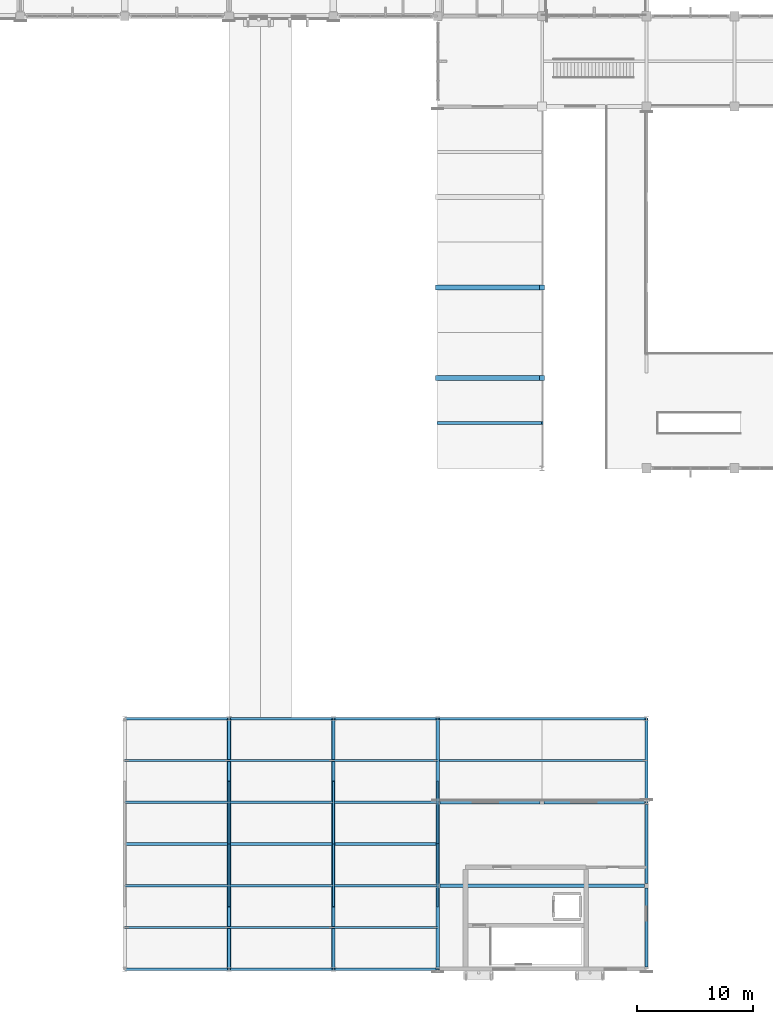
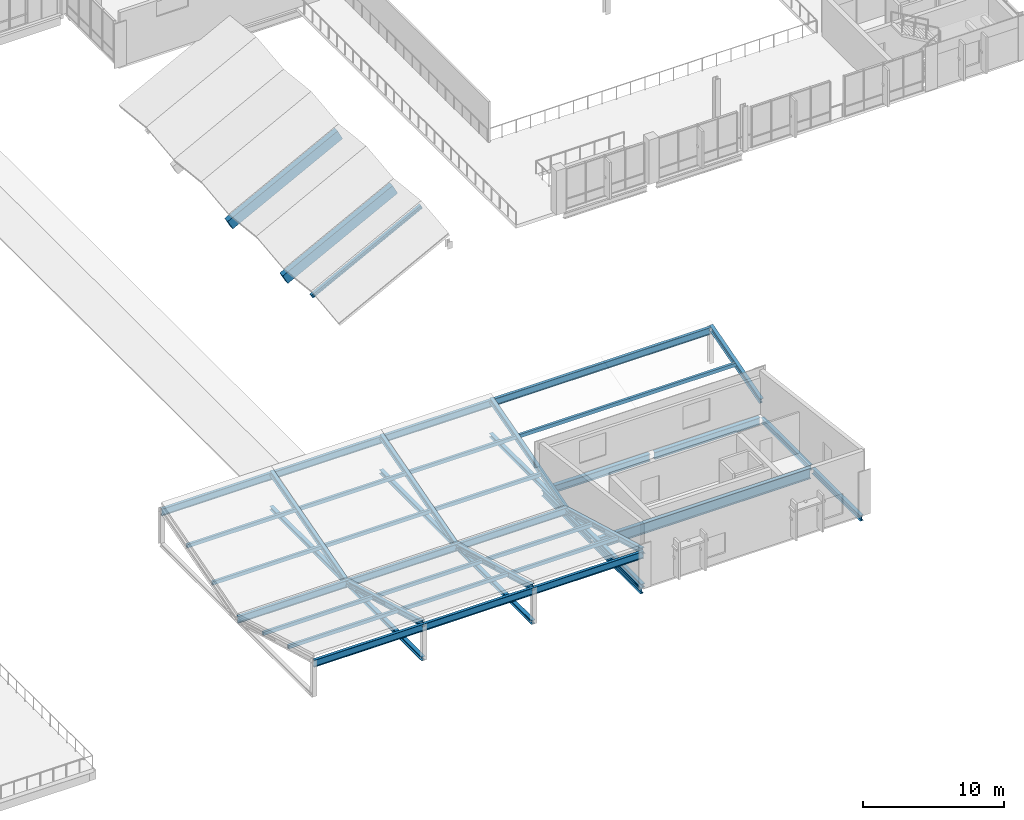
# One storey, part 16 of 64: 30 members, 12 beams.
"""IFC4 building model written with IfcOpenShell, lengths in metres."""

import ifcopenshell
import ifcopenshell.guid

model = None  # the IFC model being written
_history = None  # IfcOwnerHistory: only IFC2X3 demands one
_inside = {}  # id of a spatial element -> (the spatial element, [elements in it])
_under = {}  # id of a project, library or spatial element -> (it, [spatial elements below it])
_declared = {}  # id of a project -> (the project, [libraries it declares])
_typed = {}  # id of a type object -> (the type object, [elements of that type])
_made_of = {}  # id of a material, layer set ... -> (it, [elements and type objects made of it])


def new_model(schema):
    """Start an empty IFC model of exactly this schema.

    Asked for "IFC4X3", IfcOpenShell would pick the latest addendum, in which some entities
    have other attributes; the version numbers below select the first issue.
    IFC2X3 requires an IfcOwnerHistory on every rooted entity: one is made here for all.
    """
    global model, _history
    if schema == "IFC4X3":
        model = ifcopenshell.file(schema_version=(4, 3, 0, 0))
    else:
        model = ifcopenshell.file(schema=schema)
    _inside.clear()
    _under.clear()
    _declared.clear()
    _typed.clear()
    _made_of.clear()
    _history = None
    if model.schema == "IFC2X3":
        org = make("IfcOrganization", Name="unknown")
        user = make(
            "IfcPersonAndOrganization",
            ThePerson=make("IfcPerson", FamilyName="unknown"),
            TheOrganization=org,
        )
        app = make(
            "IfcApplication",
            ApplicationDeveloper=org,
            Version="unknown",
            ApplicationFullName="unknown",
            ApplicationIdentifier="unknown",
        )
        _history = make(
            "IfcOwnerHistory",
            OwningUser=user,
            OwningApplication=app,
            ChangeAction="ADDED",
            CreationDate=0,
        )
    return model


def make(cls, **values):
    """One entity of the class cls with the attributes given. An attribute that is None is left unset."""
    return model.create_entity(
        cls, **{name: value for name, value in values.items() if value is not None}
    )


def rooted(cls, **values):
    """An entity with a GlobalId (a new one), such as an element, a storey or a relation."""
    return make(cls, GlobalId=ifcopenshell.guid.new(), OwnerHistory=_history, **values)


def si_unit(unit_type, name, prefix=None):
    """IfcSIUnit, for example si_unit("LENGTHUNIT", "METRE", prefix="MILLI")."""
    return make("IfcSIUnit", UnitType=unit_type, Prefix=prefix, Name=name)


def assignment(units):
    """IfcUnitAssignment: the units of a project."""
    return None if units is None else make("IfcUnitAssignment", Units=units)


def point(xyz):
    """IfcCartesianPoint."""
    return None if xyz is None else make("IfcCartesianPoint", Coordinates=xyz)


def direction(xyz):
    """IfcDirection."""
    return None if xyz is None else make("IfcDirection", DirectionRatios=xyz)


def frame(location, z_axis=None, x_axis=None):
    """IfcAxis2Placement3D, a coordinate frame: its origin and axes. An axis left out is left unset."""
    return make(
        "IfcAxis2Placement3D",
        Location=point(location),
        Axis=direction(z_axis),
        RefDirection=direction(x_axis),
    )


def frame_2d(location, x_axis=None):
    """IfcAxis2Placement2D, a coordinate frame in the plane: its origin and x axis."""
    return make(
        "IfcAxis2Placement2D", Location=point(location), RefDirection=direction(x_axis)
    )


def origin():
    """The frame at (0, 0, 0) with its axes left unset."""
    return frame((0.0, 0.0, 0.0))


def origin_2d():
    """The frame at (0, 0) in the plane with its x axis left unset."""
    return frame_2d((0.0, 0.0))


def place(relative_to, where):
    """IfcLocalPlacement: puts the frame where relative to a parent placement (None: the world)."""
    return make(
        "IfcLocalPlacement", PlacementRelTo=relative_to, RelativePlacement=where
    )


def context(
    kind, dimensions, precision=None, world=None, true_north=None, identifier=None
):
    """IfcGeometricRepresentationContext, for example the 3D "Model" context."""
    return make(
        "IfcGeometricRepresentationContext",
        ContextIdentifier=identifier,
        ContextType=kind,
        CoordinateSpaceDimension=dimensions,
        Precision=precision,
        WorldCoordinateSystem=world,
        TrueNorth=true_north,
    )


def subcontext(parent, identifier, kind, view, scale=None):
    """IfcGeometricRepresentationSubContext, for example "Body" below "Model"."""
    return make(
        "IfcGeometricRepresentationSubContext",
        ContextIdentifier=identifier,
        ContextType=kind,
        ParentContext=parent,
        TargetScale=scale,
        TargetView=view,
    )


def project(units=None, contexts=None):
    """IfcProject with its units and contexts."""
    return rooted(
        "IfcProject",
        Name="project",
        RepresentationContexts=contexts,
        UnitsInContext=assignment(units),
    )


def spatial(cls, under=None, at=None, **own):
    """A site, building, storey or space (cls), placed at a placement, below another one or the project."""
    s = rooted(cls, ObjectPlacement=at, **own)
    if under is not None:
        _under.setdefault(under.id(), (under, []))[1].append(s)
    return s


def profile(cls, at=None, kind="AREA", **sizes):
    """A parametric profile (cls). Its sizes go by their IFC names, for example OverallWidth=200.0."""
    return make(cls, ProfileType=kind, Position=at, **sizes)


def rectangle(**sizes):
    """IfcRectangleProfileDef."""
    return profile("IfcRectangleProfileDef", **sizes)


def hollow_rectangle(**sizes):
    """IfcRectangleHollowProfileDef."""
    return profile("IfcRectangleHollowProfileDef", **sizes)


def i_section(**sizes):
    """IfcIShapeProfileDef."""
    return profile("IfcIShapeProfileDef", **sizes)


def extrude(swept, where, along, depth):
    """IfcExtrudedAreaSolid: the profile swept, set in the frame where, extruded along a direction by depth."""
    return make(
        "IfcExtrudedAreaSolid",
        SweptArea=swept,
        Position=where,
        ExtrudedDirection=direction(along),
        Depth=depth,
    )


def shape(context_of_items, identifier, shape_type, items):
    """IfcShapeRepresentation: the items that make up one representation, for example the "Body"."""
    return make(
        "IfcShapeRepresentation",
        ContextOfItems=context_of_items,
        RepresentationIdentifier=identifier,
        RepresentationType=shape_type,
        Items=items,
    )


def material(Name=None, Category=None):
    """IfcMaterial."""
    return make("IfcMaterial", Name=Name, Category=Category)


def material_profile(
    of_material, cross_section, Name=None, Category=None, Priority=None
):
    """IfcMaterialProfile: a cross section and its material."""
    return make(
        "IfcMaterialProfile",
        Name=Name,
        Material=of_material,
        Profile=cross_section,
        Priority=Priority,
        Category=Category,
    )


def profile_set(profiles, Name=None, composite=None):
    """IfcMaterialProfileSet."""
    return make(
        "IfcMaterialProfileSet",
        Name=Name,
        MaterialProfiles=profiles,
        CompositeProfile=composite,
    )


def made_of(thing, what):
    """Note that an element or type object is made of a material, layer set ...; save() writes the relation."""
    if what is not None:
        _made_of.setdefault(what.id(), (what, []))[1].append(thing)
    return thing


def type_object(cls, material=None, **own):
    """A type object (cls), such as IfcWallType, which elements share."""
    return made_of(rooted(cls, **own), material)


def element(
    cls,
    number,
    at=None,
    inside=None,
    cuts=None,
    type_object=None,
    material=None,
    context=None,
    identifier="Body",
    shape_type=None,
    held_by="IfcProductDefinitionShape",
    body=None,
    shapes=None,
    **own,
):
    """One element of the class cls, such as IfcWall. Its Tag is "e" and its number.

    at: its placement. inside: the storey or other place that contains it. cuts: it is an
    opening in that element (IfcRelVoidsElement). A single representation is given by context,
    identifier, shape_type and body (its items); several are given by shapes. held_by: the class
    of the entity that holds the representations. save() writes the other relations.
    """
    e = rooted(cls, Tag="e%d" % number, ObjectPlacement=at, **own)
    if body is not None:
        shapes = [shape(context, identifier, shape_type, body)]
    if shapes is not None:
        e.Representation = make(held_by, Representations=shapes)
    if inside is not None:
        _inside.setdefault(inside.id(), (inside, []))[1].append(e)
    if cuts is not None:
        rooted(
            "IfcRelVoidsElement", RelatingBuildingElement=cuts, RelatedOpeningElement=e
        )
    if type_object is not None:
        _typed.setdefault(type_object.id(), (type_object, []))[1].append(e)
    return made_of(e, material)


def aggregate(whole, parts):
    """IfcRelAggregates: a whole, such as a stair, and the parts it consists of."""
    return rooted("IfcRelAggregates", RelatingObject=whole, RelatedObjects=parts)


def save(model, path):
    """Write the relations noted so far, then the file.

    IfcRelAggregates (storeys below a building ...), IfcRelContainedInSpatialStructure (elements
    in a storey), IfcRelDefinesByType, IfcRelAssociatesMaterial and IfcRelDeclares: one each for
    every whole, place, type object, material and project.
    """
    for whole, parts in _under.values():
        aggregate(whole, parts)
    for where, things in _inside.values():
        rooted(
            "IfcRelContainedInSpatialStructure",
            RelatedElements=things,
            RelatingStructure=where,
        )
    for kind, things in _typed.values():
        rooted("IfcRelDefinesByType", RelatedObjects=things, RelatingType=kind)
    for what, things in _made_of.values():
        rooted("IfcRelAssociatesMaterial", RelatedObjects=things, RelatingMaterial=what)
    for by, libraries in _declared.values():
        rooted("IfcRelDeclares", RelatingContext=by, RelatedDefinitions=libraries)
    model.write(path)


model = new_model("IFC4")

# Units and contexts
model_context = context("Model", 3, precision=1e-05, world=origin(), true_north=direction((0.0, 1.0)))
body_context = subcontext(model_context, "Body", "Model", "MODEL_VIEW")
ifc_project = project(units=[si_unit("LENGTHUNIT", "METRE"), si_unit("AREAUNIT", "SQUARE_METRE"), si_unit("VOLUMEUNIT", "CUBIC_METRE"), si_unit("PLANEANGLEUNIT", "RADIAN"), si_unit("MASSUNIT", "GRAM", prefix="KILO")], contexts=[model_context])

# Site, building, storey
site_placement = place(None, origin())
site = spatial("IfcSite", under=ifc_project, at=site_placement, CompositionType="ELEMENT")
building_placement = place(site_placement, origin())
building = spatial("IfcBuilding", under=site, at=building_placement, Name="Vervanel Yard Central Library", CompositionType="ELEMENT")
storey_placement = place(building_placement, frame((0.0, 0.0, 8.93994140625)))
storey = spatial("IfcBuildingStorey", under=building, at=storey_placement, Name="L02", CompositionType="ELEMENT", Elevation=8.93994140625)

# Members
ifc_material_1 = material(Name="Steel ASTM A992 Grade 50", Category="steel")
ifc_material_profile_1 = material_profile(ifc_material_1, i_section(OverallWidth=0.309814453125, OverallDepth=0.32763671875, WebThickness=0.015380859375, FlangeThickness=0.025146484375, at=origin_2d()), Name="W12X106", Category="steel")
ifc_profile_set_1 = profile_set([ifc_material_profile_1], Name="Steel ASTM A992 Grade 50")
member_type_1 = type_object("IfcMemberType", Name="Auditorium Roof Truss Bottom Chord W12X106", PredefinedType="CHORD", material=ifc_profile_set_1)
for number, where, z_axis, x_axis, name in (
    (1, (72.0, 0.0, 0.0400390625), (0.0, 1.0, 0.0), (-1.0, 0.0, 0.0), "V5 Butterfly Raised Tie Chord X=72.0"),
    (2, (81.0, 0.0, 0.0400390625), (0.0, 1.0, 0.0), (-1.0, 0.0, 0.0), "V5 Butterfly Raised Tie Chord X=81.0"),
    (3, (90.0, 0.0, 0.0400390625), (0.0, 1.0, 0.0), (-1.0, 0.0, 0.0), "V5 Butterfly Raised Tie Chord X=90.0"),
):
    element("IfcMember", number, at=place(storey_placement, frame(where, z_axis=z_axis, x_axis=x_axis)), inside=storey, type_object=member_type_1, Name=name, PredefinedType="CHORD", context=body_context, shape_type="SweptSolid", body=[
        extrude(i_section(OverallWidth=0.309814453125, OverallDepth=0.32763671875, WebThickness=0.015380859375, FlangeThickness=0.025146484375, at=origin_2d()), origin(), (0.0, 0.0, 1.0), 21.60009765625),
    ])
ifc_material_2 = material(Name="Steel ASTM A500 Grade C", Category="steel")
ifc_material_profile_2 = material_profile(ifc_material_2, hollow_rectangle(XDim=0.203125, YDim=0.3046875, WallThickness=0.01171875, at=origin_2d()), Name="HSS12X8X1/2", Category="steel")
ifc_profile_set_2 = profile_set([ifc_material_profile_2], Name="Steel ASTM A500 Grade C")
member_type_2 = type_object("IfcMemberType", Name="Butterfly Roof Purlin HSS12X8X1/2", PredefinedType="PURLIN", material=ifc_profile_set_2)
for number, where, z_axis, x_axis, name in (
    (4, (63.0, 3.60009765625, 2.044677734375), (1.0, 0.0, 0.0), (0.0, 1.0, 0.0), "V5 Butterfly Roof Purlin X=63-72 Y=3.6"),
    (5, (63.0, 7.199951171875, 1.012451171875), (1.0, 0.0, 0.0), (0.0, 1.0, 0.0), "V5 Butterfly Roof Purlin X=63-72 Y=7.2"),
    (6, (63.0, 14.39990234375, 1.012451171875), (1.0, 0.0, 0.0), (0.0, 1.0, 0.0), "V5 Butterfly Roof Purlin X=63-72 Y=14.4"),
    (7, (63.0, 18.0, 2.044677734375), (1.0, 0.0, 0.0), (0.0, 1.0, 0.0), "V5 Butterfly Roof Purlin X=63-72 Y=18.0"),
    (8, (72.0, 3.60009765625, 2.044677734375), (1.0, 0.0, 0.0), (0.0, 1.0, 0.0), "V5 Butterfly Roof Purlin X=72-81 Y=3.6"),
    (9, (72.0, 7.199951171875, 1.012451171875), (1.0, 0.0, 0.0), (0.0, 1.0, 0.0), "V5 Butterfly Roof Purlin X=72-81 Y=7.2"),
    (10, (72.0, 14.39990234375, 1.012451171875), (1.0, 0.0, 0.0), (0.0, 1.0, 0.0), "V5 Butterfly Roof Purlin X=72-81 Y=14.4"),
    (11, (72.0, 18.0, 2.044677734375), (1.0, 0.0, 0.0), (0.0, 1.0, 0.0), "V5 Butterfly Roof Purlin X=72-81 Y=18.0"),
    (12, (81.0, 3.60009765625, 2.044677734375), (1.0, 0.0, 0.0), (0.0, 1.0, 0.0), "V5 Butterfly Roof Purlin X=81-90 Y=3.6"),
    (13, (81.0, 7.199951171875, 1.012451171875), (1.0, 0.0, 0.0), (0.0, 1.0, 0.0), "V5 Butterfly Roof Purlin X=81-90 Y=7.2"),
    (14, (81.0, 14.39990234375, 1.012451171875), (1.0, 0.0, 0.0), (0.0, 1.0, 0.0), "V5 Butterfly Roof Purlin X=81-90 Y=14.4"),
    (15, (81.0, 18.0, 2.044677734375), (1.0, 0.0, 0.0), (0.0, 1.0, 0.0), "V5 Butterfly Roof Purlin X=81-90 Y=18.0"),
):
    element("IfcMember", number, at=place(storey_placement, frame(where, z_axis=z_axis, x_axis=x_axis)), inside=storey, type_object=member_type_2, Name=name, PredefinedType="PURLIN", context=body_context, shape_type="SweptSolid", body=[
        extrude(hollow_rectangle(XDim=0.203125, YDim=0.3046875, WallThickness=0.01171875, at=origin_2d()), origin(), (0.0, 0.0, 1.0), 9.0),
    ])
member_1_placement = place(storey_placement, frame((90.0, 18.0, 2.044677734375), z_axis=(1.0, 0.0, 0.0), x_axis=(0.0, 1.0, 0.0)))
element("IfcMember", 16, at=member_1_placement, inside=storey, type_object=member_type_2, Name="V5 Butterfly Roof Purlin X=90-108 Y=18.0", PredefinedType="PURLIN", context=body_context, shape_type="SweptSolid", body=[
    extrude(hollow_rectangle(XDim=0.203125, YDim=0.3046875, WallThickness=0.01171875, at=origin_2d()), origin(), (0.0, 0.0, 1.0), 18.0),
])
ifc_material_profile_3 = material_profile(ifc_material_1, i_section(OverallWidth=0.281982421875, OverallDepth=0.46728515625, WebThickness=0.01220703125, FlangeThickness=0.01953125, at=origin_2d()), Name="W18X86", Category="steel")
ifc_profile_set_3 = profile_set([ifc_material_profile_3], Name="Steel ASTM A992 Grade 50")
member_type_3 = type_object("IfcMemberType", Name="Butterfly Sloped Rafter W18X86", PredefinedType="RAFTER", material=ifc_profile_set_3)
for number, where, z_axis, x_axis, name in (
    (17, (72.0, 0.0, 3.076904296875), (0.0, 0.963129808718, -0.269037119297), (-1.0, 0.0, 0.0), "V5 Butterfly South Rafter X=72.0"),
    (18, (72.0, 10.800048828125, 0.06005859375), (0.0, 0.963129808718, 0.269037119297), (-1.0, 0.0, 0.0), "V5 Butterfly North Rafter X=72.0"),
    (19, (81.0, 0.0, 3.076904296875), (0.0, 0.963129808718, -0.269037119297), (-1.0, 0.0, 0.0), "V5 Butterfly South Rafter X=81.0"),
    (20, (81.0, 10.800048828125, 0.06005859375), (0.0, 0.963129808718, 0.269037119297), (-1.0, 0.0, 0.0), "V5 Butterfly North Rafter X=81.0"),
    (21, (90.0, 0.0, 3.076904296875), (0.0, 0.963129808718, -0.269037119297), (-1.0, 0.0, 0.0), "V5 Butterfly South Rafter X=90.0"),
    (22, (90.0, 10.800048828125, 0.06005859375), (0.0, 0.963129808718, 0.269037119297), (-1.0, 0.0, 0.0), "V5 Butterfly North Rafter X=90.0"),
):
    element("IfcMember", number, at=place(storey_placement, frame(where, z_axis=z_axis, x_axis=x_axis)), inside=storey, type_object=member_type_3, Name=name, PredefinedType="RAFTER", context=body_context, shape_type="SweptSolid", body=[
        extrude(i_section(OverallWidth=0.281982421875, OverallDepth=0.46728515625, WebThickness=0.01220703125, FlangeThickness=0.01953125, at=origin_2d()), origin(), (0.0, 0.0, 1.0), 11.21337890625),
    ])
member_2_placement = place(storey_placement, frame((108.0, 14.39990234375, 1.012451171875), z_axis=(0.0, 0.961267697111, 0.275616426379), x_axis=(-1.0, 0.0, 0.0)))
element("IfcMember", 23, at=member_2_placement, inside=storey, type_object=member_type_3, Name="V5 Butterfly North East Rafter X=108.0", PredefinedType="RAFTER", context=body_context, shape_type="SweptSolid", body=[
    extrude(i_section(OverallWidth=0.281982421875, OverallDepth=0.46728515625, WebThickness=0.01220703125, FlangeThickness=0.01953125, at=origin_2d()), origin(), (0.0, 0.0, 1.0), 7.490234375),
])

# Beams
ifc_material_3 = material(Name="Concrete C45/55", Category="concrete")
ifc_material_profile_4 = material_profile(ifc_material_3, rectangle(XDim=0.449951171875, YDim=0.89990234375, at=origin_2d()), Name="RC 450x900", Category="concrete")
ifc_profile_set_4 = profile_set([ifc_material_profile_4], Name="Concrete C45/55")
beam_type_1 = type_object("IfcBeamType", Name="Folded Shell Concrete Valley Rib 450x900", PredefinedType="BEAM", material=ifc_profile_set_4)
for number, where, z_axis, x_axis, name in (
    (24, (90.0, 51.0, -4.25), (0.887416545796, 0.0, 0.460968409165), (0.0, 1.0, 0.0), "Folded Shell Valley Rib Bay 1 Y=51.0"),
    (25, (90.0, 58.800048828125, -4.25), (0.887416545796, 0.0, 0.460968409165), (0.0, 1.0, 0.0), "Folded Shell Valley Rib Bay 1 Y=58.8"),
):
    element("IfcBeam", number, at=place(storey_placement, frame(where, z_axis=z_axis, x_axis=x_axis)), inside=storey, type_object=beam_type_1, Name=name, PredefinedType="BEAM", context=body_context, shape_type="SweptSolid", body=[
        extrude(rectangle(XDim=0.449951171875, YDim=0.89990234375, at=origin_2d()), origin(), (0.0, 0.0, 1.0), 10.141845703125),
    ])

# Members
ifc_material_profile_5 = material_profile(ifc_material_2, hollow_rectangle(XDim=0.15234375, YDim=0.15234375, WallThickness=0.0087890625, at=origin_2d()), Name="HSS6X6X3/8", Category="steel")
ifc_profile_set_5 = profile_set([ifc_material_profile_5], Name="Steel ASTM A500 Grade C")
member_type_4 = type_object("IfcMemberType", Name="Roof Diaphragm Plan Brace HSS6X6X3/8", PredefinedType="BRACE", material=ifc_profile_set_5)
member_3_placement = place(storey_placement, frame((72.0, 5.39990234375, 1.568359375), z_axis=(0.0, 0.962207121164, -0.272318666237), x_axis=(-1.0, 0.0, 0.0)))
element("IfcMember", 26, at=member_3_placement, inside=storey, type_object=member_type_4, Name="V5 Butterfly Truss South Web X=72.0", PredefinedType="BRACE", context=body_context, shape_type="SweptSolid", body=[
    extrude(hollow_rectangle(XDim=0.15234375, YDim=0.15234375, WallThickness=0.0087890625, at=origin_2d()), origin(), (0.0, 0.0, 1.0), 5.6123046875),
])
member_4_placement = place(storey_placement, frame((72.0, 16.199951171875, 1.568359375), z_axis=(0.0, -0.96220389501, -0.27233006523), x_axis=(1.0, 0.0, 0.0)))
element("IfcMember", 27, at=member_4_placement, inside=storey, type_object=member_type_4, Name="V5 Butterfly Truss North Web X=72.0", PredefinedType="BRACE", context=body_context, shape_type="SweptSolid", body=[
    extrude(hollow_rectangle(XDim=0.15234375, YDim=0.15234375, WallThickness=0.0087890625, at=origin_2d()), origin(), (0.0, 0.0, 1.0), 5.612060546875),
])
member_5_placement = place(storey_placement, frame((81.0, 5.39990234375, 1.568359375), z_axis=(0.0, 0.962207121164, -0.272318666237), x_axis=(-1.0, 0.0, 0.0)))
element("IfcMember", 28, at=member_5_placement, inside=storey, type_object=member_type_4, Name="V5 Butterfly Truss South Web X=81.0", PredefinedType="BRACE", context=body_context, shape_type="SweptSolid", body=[
    extrude(hollow_rectangle(XDim=0.15234375, YDim=0.15234375, WallThickness=0.0087890625, at=origin_2d()), origin(), (0.0, 0.0, 1.0), 5.6123046875),
])
member_6_placement = place(storey_placement, frame((81.0, 16.199951171875, 1.568359375), z_axis=(0.0, -0.96220389501, -0.27233006523), x_axis=(1.0, 0.0, 0.0)))
element("IfcMember", 29, at=member_6_placement, inside=storey, type_object=member_type_4, Name="V5 Butterfly Truss North Web X=81.0", PredefinedType="BRACE", context=body_context, shape_type="SweptSolid", body=[
    extrude(hollow_rectangle(XDim=0.15234375, YDim=0.15234375, WallThickness=0.0087890625, at=origin_2d()), origin(), (0.0, 0.0, 1.0), 5.612060546875),
])
member_7_placement = place(storey_placement, frame((90.0, 5.39990234375, 1.568359375), z_axis=(0.0, 0.962207121164, -0.272318666237), x_axis=(-1.0, 0.0, 0.0)))
element("IfcMember", 30, at=member_7_placement, inside=storey, type_object=member_type_4, Name="V5 Butterfly Truss South Web X=90.0", PredefinedType="BRACE", context=body_context, shape_type="SweptSolid", body=[
    extrude(hollow_rectangle(XDim=0.15234375, YDim=0.15234375, WallThickness=0.0087890625, at=origin_2d()), origin(), (0.0, 0.0, 1.0), 5.6123046875),
])
member_8_placement = place(storey_placement, frame((90.0, 16.199951171875, 1.568359375), z_axis=(0.0, -0.96220389501, -0.27233006523), x_axis=(1.0, 0.0, 0.0)))
element("IfcMember", 31, at=member_8_placement, inside=storey, type_object=member_type_4, Name="V5 Butterfly Truss North Web X=90.0", PredefinedType="BRACE", context=body_context, shape_type="SweptSolid", body=[
    extrude(hollow_rectangle(XDim=0.15234375, YDim=0.15234375, WallThickness=0.0087890625, at=origin_2d()), origin(), (0.0, 0.0, 1.0), 5.612060546875),
])
ifc_material_profile_6 = material_profile(ifc_material_1, i_section(OverallWidth=0.25390625, OverallDepth=0.307373046875, WebThickness=0.0087890625, FlangeThickness=0.0146484375, at=origin_2d()), Name="W12X53", Category="steel")
ifc_profile_set_6 = profile_set([ifc_material_profile_6], Name="Steel ASTM A992 Grade 50")
member_type_5 = type_object("IfcMemberType", Name="Shell Roof Purlin W12X53", PredefinedType="PURLIN", material=ifc_profile_set_6)
member_9_placement = place(storey_placement, frame((90.0, 47.10009765625, -3.438232421875), z_axis=(0.887416545796, 0.0, 0.460968409165), x_axis=(0.0, 1.0, 0.0)))
element("IfcMember", 32, at=member_9_placement, inside=storey, type_object=member_type_5, Name="Shell Ridge Purlin Bay 1 Y=47.1", PredefinedType="PURLIN", context=body_context, shape_type="SweptSolid", body=[
    extrude(i_section(OverallWidth=0.25390625, OverallDepth=0.307373046875, WebThickness=0.0087890625, FlangeThickness=0.0146484375, at=origin_2d()), origin(), (0.0, 0.0, 1.0), 10.141845703125),
])

# Beams
ifc_material_profile_7 = material_profile(ifc_material_1, i_section(OverallWidth=0.309814453125, OverallDepth=0.93212890625, WebThickness=0.02099609375, FlangeThickness=0.034423828125, at=origin_2d()), Name="W36X210", Category="steel")
ifc_profile_set_7 = profile_set([ifc_material_profile_7], Name="Steel ASTM A992 Grade 50")
beam_type_2 = type_object("IfcBeamType", Name="Steel Auditorium Tie Girder W36X210", PredefinedType="BEAM", material=ifc_profile_set_7)
beam_1_placement = place(storey_placement, frame((90.18408203125, 7.199951171875, -0.736083984375), z_axis=(1.0, 0.0, 0.0), x_axis=(0.0, 1.0, 0.0)))
element("IfcBeam", 33, at=beam_1_placement, inside=storey, type_object=beam_type_2, Name="L02 Girder SB-06 Y=7.2 X=90.0-108.0", PredefinedType="BEAM", context=body_context, shape_type="SweptSolid", body=[
    extrude(i_section(OverallWidth=0.309814453125, OverallDepth=0.93212890625, WebThickness=0.02099609375, FlangeThickness=0.034423828125, at=origin_2d()), origin(), (0.0, 0.0, 1.0), 17.6318359375),
])
ifc_material_profile_8 = material_profile(ifc_material_1, i_section(OverallWidth=0.32763671875, OverallDepth=0.622314453125, WebThickness=0.015380859375, FlangeThickness=0.0244140625, at=origin_2d()), Name="W24X131", Category="steel")
ifc_profile_set_8 = profile_set([ifc_material_profile_8], Name="Steel ASTM A992 Grade 50")
beam_type_3 = type_object("IfcBeamType", Name="Steel Primary Girder W24X131", PredefinedType="BEAM", material=ifc_profile_set_8)
for number, where, z_axis, x_axis, name in (
    (34, (90.18408203125, 14.39990234375, -0.5810546875), (1.0, 0.0, 0.0), (0.0, 1.0, 0.0), "L02 Girder SB-02 Y=14.4 X=90.0-99.0"),
    (35, (99.18408203125, 14.39990234375, -0.5810546875), (1.0, 0.0, 0.0), (0.0, 1.0, 0.0), "L02 Girder SB-02 Y=14.4 X=99.0-108.0"),
):
    element("IfcBeam", number, at=place(storey_placement, frame(where, z_axis=z_axis, x_axis=x_axis)), inside=storey, type_object=beam_type_3, Name=name, PredefinedType="BEAM", context=body_context, shape_type="SweptSolid", body=[
        extrude(i_section(OverallWidth=0.32763671875, OverallDepth=0.622314453125, WebThickness=0.015380859375, FlangeThickness=0.0244140625, at=origin_2d()), origin(), (0.0, 0.0, 1.0), 8.6318359375),
    ])
ifc_material_profile_9 = material_profile(ifc_material_1, i_section(OverallWidth=0.22900390625, OverallDepth=0.612060546875, WebThickness=0.011962890625, FlangeThickness=0.01953125, at=origin_2d()), Name="W24X84", Category="steel")
ifc_profile_set_9 = profile_set([ifc_material_profile_9], Name="Steel ASTM A992 Grade 50")
beam_type_4 = type_object("IfcBeamType", Name="Steel Primary Girder W24X84", PredefinedType="BEAM", material=ifc_profile_set_9)
for number, where, z_axis, x_axis, name in (
    (36, (63.0, 0.0, 2.796875), (1.0, 0.0, 0.0), (0.0, 1.0, 0.0), "V5 Butterfly Longitudinal S Girder"),
    (37, (63.0, 10.800048828125, 0.0400390625), (1.0, 0.0, 0.0), (0.0, 1.0, 0.0), "V5 Butterfly Longitudinal V Girder"),
):
    element("IfcBeam", number, at=place(storey_placement, frame(where, z_axis=z_axis, x_axis=x_axis)), inside=storey, type_object=beam_type_4, Name=name, PredefinedType="BEAM", context=body_context, shape_type="SweptSolid", body=[
        extrude(i_section(OverallWidth=0.22900390625, OverallDepth=0.612060546875, WebThickness=0.011962890625, FlangeThickness=0.01953125, at=origin_2d()), origin(), (0.0, 0.0, 1.0), 27.0),
    ])
beam_2_placement = place(storey_placement, frame((63.0, 21.60009765625, 2.796875), z_axis=(1.0, 0.0, 0.0), x_axis=(0.0, 1.0, 0.0)))
element("IfcBeam", 38, at=beam_2_placement, inside=storey, type_object=beam_type_4, Name="V5 Butterfly Longitudinal N Girder", PredefinedType="BEAM", context=body_context, shape_type="SweptSolid", body=[
    extrude(i_section(OverallWidth=0.22900390625, OverallDepth=0.612060546875, WebThickness=0.011962890625, FlangeThickness=0.01953125, at=origin_2d()), origin(), (0.0, 0.0, 1.0), 45.0),
])
ifc_material_profile_10 = material_profile(ifc_material_1, i_section(OverallWidth=0.281982421875, OverallDepth=0.46728515625, WebThickness=0.01220703125, FlangeThickness=0.01953125, at=origin_2d()), Name="W18X86", Category="steel")
ifc_profile_set_10 = profile_set([ifc_material_profile_10], Name="Steel ASTM A992 Grade 50")
beam_type_5 = type_object("IfcBeamType", Name="Steel Spandrel Beam W18X86", PredefinedType="SPANDREL", material=ifc_profile_set_10)
for number, where, z_axis, x_axis, name in (
    (39, (90.0, 0.177734375, -0.503662109375), (0.0, 1.0, 0.0), (-1.0, 0.0, 0.0), "L02 Girder SP-02 X=90.0 Y=0.0-7.2"),
    (40, (90.0, 7.377685546875, -0.503662109375), (0.0, 1.0, 0.0), (-1.0, 0.0, 0.0), "L02 Girder SP-02 X=90.0 Y=7.2-14.4"),
    (41, (108.0, 0.177734375, -0.503662109375), (0.0, 1.0, 0.0), (-1.0, 0.0, 0.0), "L02 Girder SP-02 X=108.0 Y=0.0-7.2"),
    (42, (108.0, 7.377685546875, -0.503662109375), (0.0, 1.0, 0.0), (-1.0, 0.0, 0.0), "L02 Girder SP-02 X=108.0 Y=7.2-14.4"),
):
    element("IfcBeam", number, at=place(storey_placement, frame(where, z_axis=z_axis, x_axis=x_axis)), inside=storey, type_object=beam_type_5, Name=name, PredefinedType="SPANDREL", context=body_context, shape_type="SweptSolid", body=[
        extrude(i_section(OverallWidth=0.281982421875, OverallDepth=0.46728515625, WebThickness=0.01220703125, FlangeThickness=0.01953125, at=origin_2d()), origin(), (0.0, 0.0, 1.0), 6.844482421875),
    ])

save(model, "model.ifc")
